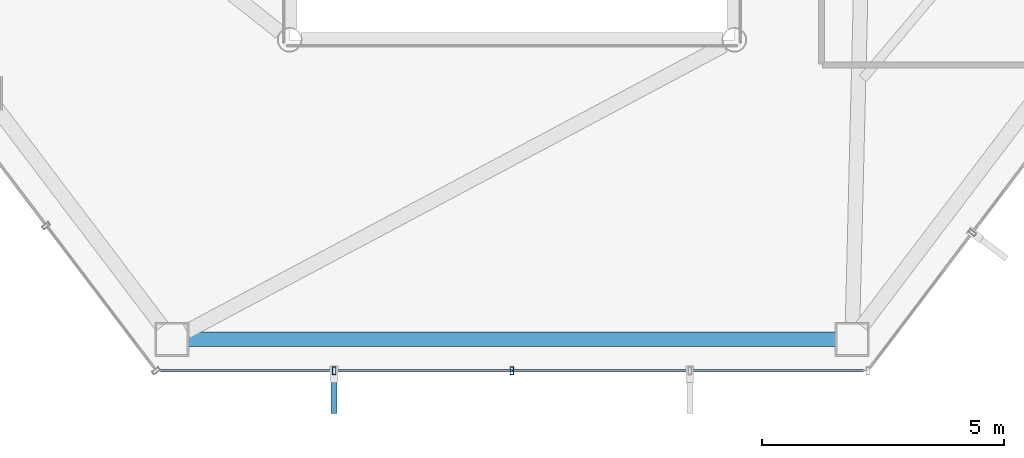
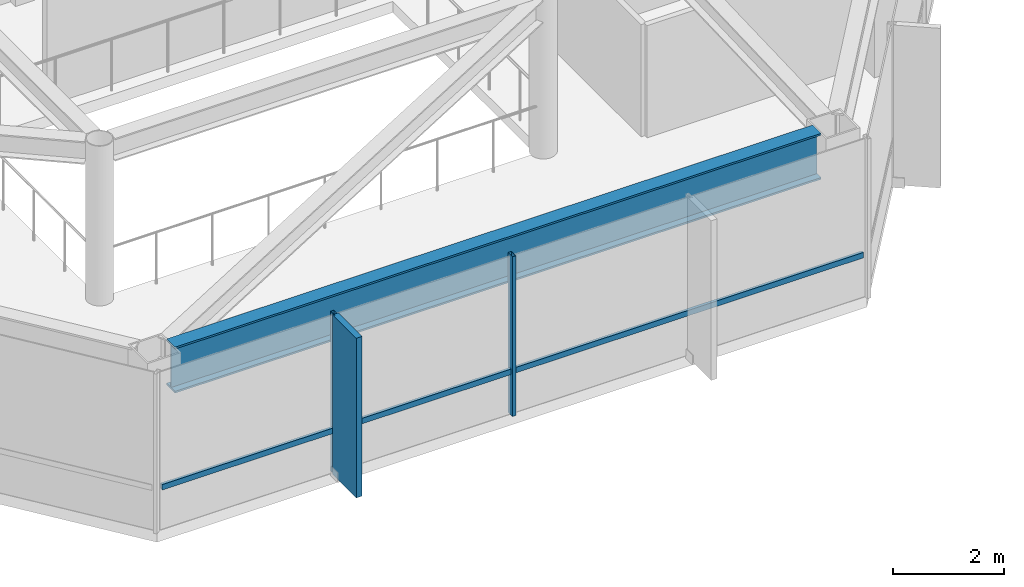
# One storey, part 6 of 27: 4 members, 1 beam, 1 element without a shape of its own.
"""IFC4 building model written with IfcOpenShell, lengths in metres."""

from ifc_helpers import new_model, si_unit, direction, frame, origin, origin_2d, place, context, subcontext, project, spatial, rectangle, hollow_rectangle, i_section, extrude, material, layer, layer_set, material_profile, profile_set, type_object, element, aggregate, save


model = new_model("IFC4")

# Units and contexts
model_context = context("Model", 3, precision=1e-05, world=origin(), true_north=direction((0.0, 1.0)))
body_context = subcontext(model_context, "Body", "Model", "MODEL_VIEW")
ifc_project = project(units=[si_unit("LENGTHUNIT", "METRE"), si_unit("AREAUNIT", "SQUARE_METRE"), si_unit("VOLUMEUNIT", "CUBIC_METRE"), si_unit("PLANEANGLEUNIT", "RADIAN"), si_unit("MASSUNIT", "GRAM", prefix="KILO")], contexts=[model_context])

# Site, building, storey
site_placement = place(None, origin())
site = spatial("IfcSite", under=ifc_project, at=site_placement, CompositionType="ELEMENT")
building_placement = place(site_placement, origin())
building = spatial("IfcBuilding", under=site, at=building_placement, Name="Zarrinselat Tower", CompositionType="ELEMENT")
storey_placement = place(building_placement, frame((0.0, 0.0, 175.780029296875)))
storey = spatial("IfcBuildingStorey", under=building, at=storey_placement, Name="L43", CompositionType="ELEMENT", Elevation=175.780029296875)

# Beam
ifc_material_1 = material(Name="Steel S460M", Category="steel")
ifc_material_profile_1 = material_profile(ifc_material_1, i_section(OverallWidth=0.302001953125, OverallDepth=1.008056640625, WebThickness=0.02099609375, FlangeThickness=0.0400390625, at=origin_2d()), Name="HEM 1000")
ifc_profile_set_1 = profile_set([ifc_material_profile_1], Name="Steel S460M")
beam_type = type_object("IfcBeamType", Name="BM-HEM1000", PredefinedType="BEAM", material=ifc_profile_set_1)
beam_placement = place(storey_placement, frame((31.70263671875, 18.205322265625, 2.995849609375), z_axis=(1.0, 0.0, 0.0), x_axis=(0.0, 1.0, 0.0)))
element("IfcBeam", 1, at=beam_placement, inside=storey, type_object=beam_type, Name="L43 Perimeter Spandrel Girder SP10", PredefinedType="BEAM", context=body_context, shape_type="SweptSolid", body=[
    extrude(i_section(OverallWidth=0.302001953125, OverallDepth=1.008056640625, WebThickness=0.02099609375, FlangeThickness=0.0400390625, at=origin_2d()), origin(), (0.0, 0.0, 1.0), 13.394775390625),
])

# Curtain wall, members
ifc_material_2 = material(Name="Extruded Aluminium Alloy EN AW-6063 T6", Category="aluminium")
ifc_layer = layer(ifc_material_2, 0.175048828125)
ifc_layer_set = layer_set([ifc_layer], Name="Extruded Aluminium Alloy EN AW-6063 T6")
curtain_wall_type = type_object("IfcCurtainWallType", Name="CWS-HTL", PredefinedType="NOTDEFINED", material=ifc_layer_set)
curtain_wall_placement = place(storey_placement, origin())
curtain_wall = element("IfcCurtainWall", 2, at=curtain_wall_placement, inside=storey, type_object=curtain_wall_type, Name="L43 Unitised Curtain Wall CW-L43-E04", PredefinedType="NOTDEFINED")
ifc_material_3 = material(Name="Extruded Aluminium Alloy EN AW-6063 T6", Category="aluminium")
ifc_material_profile_2 = material_profile(ifc_material_3, hollow_rectangle(XDim=0.070068359375, YDim=0.159912109375, WallThickness=0.00390625, at=origin_2d()), Name="RHS 160x70x4")
ifc_profile_set_2 = profile_set([ifc_material_profile_2], Name="Extruded Aluminium Alloy EN AW-6063 T6")
member_type_1 = type_object("IfcMemberType", Name="MEM-CW-MUL2", PredefinedType="MULLION", material=ifc_profile_set_2)
member_1_placement = place(storey_placement, frame((34.720703125, 17.555419921875, 0.0), z_axis=(0.0, 0.0, 1.0), x_axis=(1.0, 0.0, 0.0)))
member_1 = element("IfcMember", 3, at=member_1_placement, type_object=member_type_1, Name="CW-L43-E04 Mullion 1", PredefinedType="MULLION", context=body_context, shape_type="SweptSolid", body=[
    extrude(hollow_rectangle(XDim=0.070068359375, YDim=0.159912109375, WallThickness=0.00390625, at=origin_2d()), origin(), (0.0, 0.0, 1.0), 3.5),
])
member_2_placement = place(storey_placement, frame((38.39990234375, 17.555419921875, 0.0), z_axis=(0.0, 0.0, 1.0), x_axis=(1.0, 0.0, 0.0)))
member_2 = element("IfcMember", 4, at=member_2_placement, type_object=member_type_1, Name="CW-L43-E04 Mullion 2", PredefinedType="MULLION", context=body_context, shape_type="SweptSolid", body=[
    extrude(hollow_rectangle(XDim=0.070068359375, YDim=0.159912109375, WallThickness=0.00390625, at=origin_2d()), origin(), (0.0, 0.0, 1.0), 3.5),
])
ifc_material_4 = material(Name="Extruded Aluminium Alloy EN AW-6063 T6", Category="aluminium")
ifc_material_profile_3 = material_profile(ifc_material_4, hollow_rectangle(XDim=0.06005859375, YDim=0.1201171875, WallThickness=0.00390625, at=origin_2d()), Name="RHS 120x60x4")
ifc_profile_set_3 = profile_set([ifc_material_profile_3], Name="Extruded Aluminium Alloy EN AW-6063 T6")
member_type_2 = type_object("IfcMemberType", Name="MEM-CW-TRN2", PredefinedType="USERDEFINED", material=ifc_profile_set_3)
member_3_placement = place(storey_placement, frame((31.131591796875, 17.555419921875, 0.949951171875), z_axis=(1.0, 0.0, 0.0), x_axis=(0.0, 1.0, 0.0)))
member_3 = element("IfcMember", 5, at=member_3_placement, type_object=member_type_2, Name="CW-L43-E04 Transom 1", ObjectType="TRANSOM", PredefinedType="USERDEFINED", context=body_context, shape_type="SweptSolid", body=[
    extrude(hollow_rectangle(XDim=0.06005859375, YDim=0.1201171875, WallThickness=0.00390625, at=origin_2d()), origin(), (0.0, 0.0, 1.0), 14.536865234375),
])
ifc_material_5 = material(Name="Honed Cream Travertine Stone", Category="masonry")
ifc_material_profile_4 = material_profile(ifc_material_5, rectangle(XDim=0.1201171875, YDim=0.85009765625, at=origin_2d()), Name="FIN 850x120")
ifc_profile_set_4 = profile_set([ifc_material_profile_4], Name="Honed Cream Travertine Stone")
member_type_3 = type_object("IfcMemberType", Name="MEM-STONE-FIN", PredefinedType="USERDEFINED", material=ifc_profile_set_4)
member_4_placement = place(storey_placement, frame((34.720703125, 17.09521484375, 0.0), z_axis=(0.0, 0.0, 1.0), x_axis=(-1.0, 0.0, 0.0)))
member_4 = element("IfcMember", 6, at=member_4_placement, type_object=member_type_3, Name="L43 Stone Shading Fin CW-L43-E04-01", ObjectType="FIN", PredefinedType="USERDEFINED", context=body_context, shape_type="SweptSolid", body=[
    extrude(rectangle(XDim=0.1201171875, YDim=0.85009765625, at=origin_2d()), origin(), (0.0, 0.0, 1.0), 3.5),
])
aggregate(curtain_wall, [member_1, member_4, member_2, member_3])

save(model, "model.ifc")
